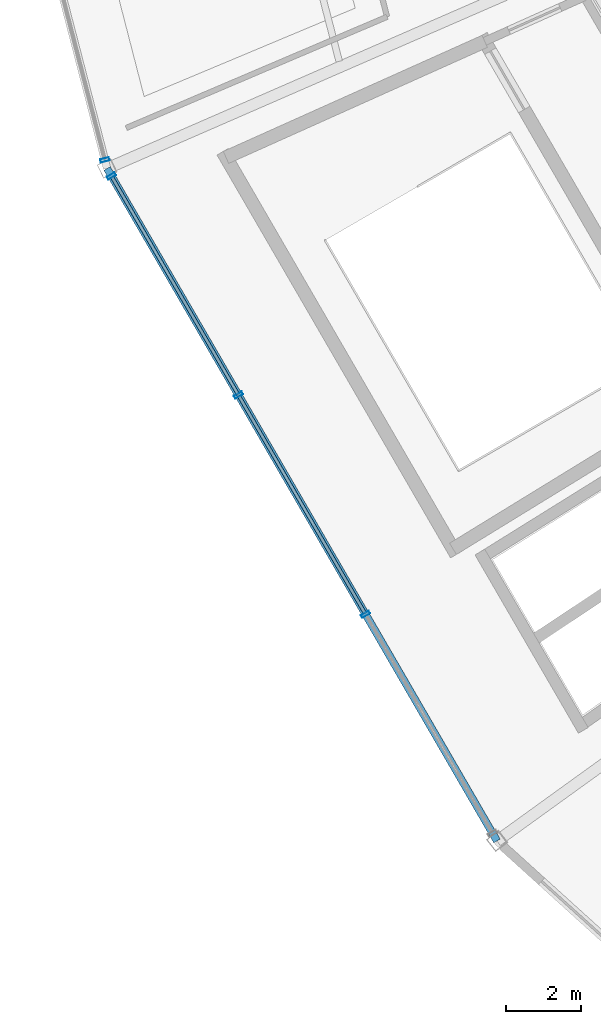
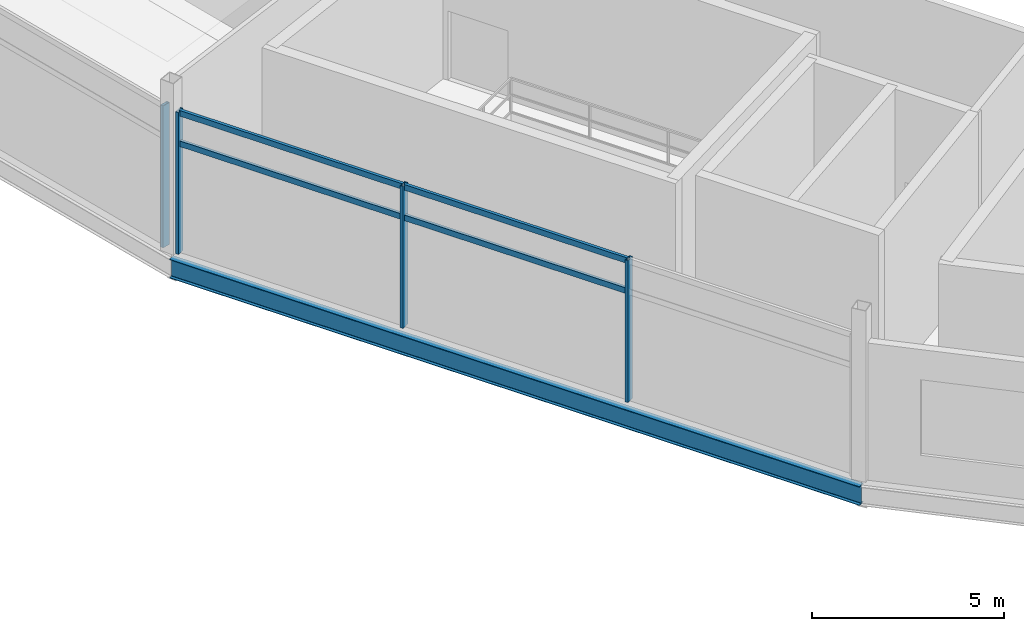
# One storey, part 23 of 86: 8 members, 1 beam, 2 elements without a shape of their own.
"""IFC4 building model written with IfcOpenShell, lengths in metres."""

from ifc_helpers import new_model, si_unit, direction, frame, origin, origin_2d, place, context, subcontext, project, spatial, hollow_rectangle, i_section, extrude, material, layer, layer_set, material_profile, profile_set, type_object, element, aggregate, save


model = new_model("IFC4")

# Units and contexts
model_context = context("Model", 3, precision=1e-05, world=origin(), true_north=direction((0.0, 1.0)))
body_context = subcontext(model_context, "Body", "Model", "MODEL_VIEW")
ifc_project = project(units=[si_unit("LENGTHUNIT", "METRE"), si_unit("AREAUNIT", "SQUARE_METRE"), si_unit("VOLUMEUNIT", "CUBIC_METRE"), si_unit("PLANEANGLEUNIT", "RADIAN"), si_unit("MASSUNIT", "GRAM", prefix="KILO")], contexts=[model_context])

# Site, building, storey
site_placement = place(None, origin())
site = spatial("IfcSite", under=ifc_project, at=site_placement, CompositionType="ELEMENT")
building_placement = place(site_placement, origin())
building = spatial("IfcBuilding", under=site, at=building_placement, Name="Kazemori Nagisa Stadium", CompositionType="ELEMENT")
storey_placement = place(building_placement, frame((0.0, 0.0, 31.280029296875)))
storey = spatial("IfcBuildingStorey", under=building, at=storey_placement, Name="L06", CompositionType="ELEMENT", Elevation=31.280029296875)

# Beam
ifc_material_1 = material(Name="Steel SN490B", Category="steel")
ifc_material_profile_1 = material_profile(ifc_material_1, i_section(OverallWidth=0.199951171875, OverallDepth=0.60009765625, WebThickness=0.010986328125, FlangeThickness=0.01708984375, FilletRadius=0.012939453125, at=origin_2d()), Name="H-600x200x11x17")
ifc_profile_set_1 = profile_set([ifc_material_profile_1], Name="Steel SN490B")
beam_type = type_object("IfcBeamType", Name="Beam_BS-H600", PredefinedType="SPANDREL", material=ifc_profile_set_1)
beam_placement = place(storey_placement, frame((34.114990234375, 63.25048828125, -0.56005859375), z_axis=(0.50161277459, -0.8650922635, 0.0), x_axis=(0.8650922635, 0.50161277459, 0.0)))
element("IfcBeam", 1, at=beam_placement, inside=storey, type_object=beam_type, Name="Ring girder BS-H600 L06 R3-17", PredefinedType="SPANDREL", context=body_context, shape_type="SweptSolid", body=[
    extrude(i_section(OverallWidth=0.199951171875, OverallDepth=0.60009765625, WebThickness=0.010986328125, FlangeThickness=0.01708984375, FilletRadius=0.012939453125, at=origin_2d()), origin(), (0.0, 0.0, 1.0), 20.71240234375),
])

# Curtain wall, member
ifc_material_2 = material(Name="Anodised aluminium 6063-T5", Category="aluminium")
ifc_layer_1 = layer(ifc_material_2, 0.239990234375, Name="Anodised aluminium 6063-T5", Category="aluminium")
ifc_layer_set_1 = layer_set([ifc_layer_1], Name="Anodised aluminium 6063-T5")
curtain_wall_type_1 = type_object("IfcCurtainWallType", Name="CW_L06R3_98", PredefinedType="USERDEFINED", material=ifc_layer_set_1)
curtain_wall_1_placement = place(storey_placement, origin())
curtain_wall_1 = element("IfcCurtainWall", 2, at=curtain_wall_1_placement, inside=storey, type_object=curtain_wall_type_1, Name="Unitised curtain wall CW-L06R3-98 L06", ObjectType="UNITISED CURTAIN WALL", PredefinedType="USERDEFINED")
ifc_material_3 = material(Name="Aluminium 6063-T5 anodised", Category="aluminium")
ifc_material_profile_2 = material_profile(ifc_material_3, hollow_rectangle(XDim=0.090087890625, YDim=0.239990234375, WallThickness=0.0048828125, at=origin_2d()), Name="ALU-MULL-90x240x5")
ifc_profile_set_2 = profile_set([ifc_material_profile_2], Name="Aluminium 6063-T5 anodised")
member_type_1 = type_object("IfcMemberType", Name="Mullion_M03", PredefinedType="MULLION", material=ifc_profile_set_2)
member_1_placement = place(storey_placement, frame((34.056396484375, 63.47802734375, 0.0), z_axis=(0.0, 0.0, 1.0), x_axis=(0.249964642418, -0.968254965152, 0.0)))
member_1 = element("IfcMember", 3, at=member_1_placement, type_object=member_type_1, Name="Curtain wall mullion CW-L06R3-98-M4", PredefinedType="MULLION", context=body_context, shape_type="SweptSolid", body=[
    extrude(hollow_rectangle(XDim=0.090087890625, YDim=0.239990234375, WallThickness=0.0048828125, at=origin_2d()), origin(), (0.0, 0.0, 1.0), 4.510009765625),
])
aggregate(curtain_wall_1, [member_1])

# Curtain wall, members
ifc_layer_2 = layer(ifc_material_2, 0.239990234375, Name="Anodised aluminium 6063-T5", Category="aluminium")
ifc_layer_set_2 = layer_set([ifc_layer_2], Name="Anodised aluminium 6063-T5")
curtain_wall_type_2 = type_object("IfcCurtainWallType", Name="CW_L06R3_102", PredefinedType="USERDEFINED", material=ifc_layer_set_2)
curtain_wall_2_placement = place(storey_placement, origin())
curtain_wall_2 = element("IfcCurtainWall", 4, at=curtain_wall_2_placement, inside=storey, type_object=curtain_wall_type_2, Name="Unitised curtain wall CW-L06R3-102 L06", ObjectType="UNITISED CURTAIN WALL", PredefinedType="USERDEFINED")
member_2_placement = place(storey_placement, frame((34.23291015625, 63.047119140625, 0.0), z_axis=(0.0, 0.0, 1.0), x_axis=(0.501611590054, -0.865092950337, 0.0)))
member_2 = element("IfcMember", 5, at=member_2_placement, type_object=member_type_1, Name="Curtain wall mullion CW-L06R3-102-M1", PredefinedType="MULLION", context=body_context, shape_type="SweptSolid", body=[
    extrude(hollow_rectangle(XDim=0.090087890625, YDim=0.239990234375, WallThickness=0.0048828125, at=origin_2d()), origin(), (0.0, 0.0, 1.0), 4.510009765625),
])
member_3_placement = place(storey_placement, frame((37.617431640625, 57.2099609375, 0.0), z_axis=(0.0, 0.0, 1.0), x_axis=(0.501611590054, -0.865092950337, 0.0)))
member_3 = element("IfcMember", 6, at=member_3_placement, type_object=member_type_1, Name="Curtain wall mullion CW-L06R3-102-M2", PredefinedType="MULLION", context=body_context, shape_type="SweptSolid", body=[
    extrude(hollow_rectangle(XDim=0.090087890625, YDim=0.239990234375, WallThickness=0.0048828125, at=origin_2d()), origin(), (0.0, 0.0, 1.0), 4.510009765625),
])
member_4_placement = place(storey_placement, frame((41.002197265625, 51.372802734375, 0.0), z_axis=(0.0, 0.0, 1.0), x_axis=(0.501611590054, -0.865092950337, 0.0)))
member_4 = element("IfcMember", 7, at=member_4_placement, type_object=member_type_1, Name="Curtain wall mullion CW-L06R3-102-M3", PredefinedType="MULLION", context=body_context, shape_type="SweptSolid", body=[
    extrude(hollow_rectangle(XDim=0.090087890625, YDim=0.239990234375, WallThickness=0.0048828125, at=origin_2d()), origin(), (0.0, 0.0, 1.0), 4.510009765625),
])
ifc_material_profile_3 = material_profile(ifc_material_3, hollow_rectangle(XDim=0.090087890625, YDim=0.179931640625, WallThickness=0.0048828125, at=origin_2d()), Name="ALU-TRAN-90x180x5")
ifc_profile_set_3 = profile_set([ifc_material_profile_3], Name="Aluminium 6063-T5 anodised")
member_type_2 = type_object("IfcMemberType", Name="Transom_T03", PredefinedType="USERDEFINED", material=ifc_profile_set_3)
member_5_placement = place(storey_placement, frame((34.242919921875, 63.02978515625, 3.47265625), z_axis=(0.501612953117, -0.865092159984, 0.0), x_axis=(0.865092159984, 0.501612953117, 0.0)))
member_5 = element("IfcMember", 8, at=member_5_placement, type_object=member_type_2, Name="Curtain wall transom CW-L06R3-102-T1-mid", ObjectType="TRANSOM", PredefinedType="USERDEFINED", context=body_context, shape_type="SweptSolid", body=[
    extrude(hollow_rectangle(XDim=0.090087890625, YDim=0.179931640625, WallThickness=0.0048828125, at=origin_2d()), origin(), (0.0, 0.0, 1.0), 6.707275390625),
])
member_6_placement = place(storey_placement, frame((34.242919921875, 63.02978515625, 4.43994140625), z_axis=(0.501612953117, -0.865092159984, 0.0), x_axis=(0.865092159984, 0.501612953117, 0.0)))
member_6 = element("IfcMember", 9, at=member_6_placement, type_object=member_type_2, Name="Curtain wall transom CW-L06R3-102-T1-head", ObjectType="TRANSOM", PredefinedType="USERDEFINED", context=body_context, shape_type="SweptSolid", body=[
    extrude(hollow_rectangle(XDim=0.090087890625, YDim=0.179931640625, WallThickness=0.0048828125, at=origin_2d()), origin(), (0.0, 0.0, 1.0), 6.707275390625),
])
member_7_placement = place(storey_placement, frame((37.627685546875, 57.192626953125, 3.47265625), z_axis=(0.501612953117, -0.865092159984, 0.0), x_axis=(0.865092159984, 0.501612953117, 0.0)))
member_7 = element("IfcMember", 10, at=member_7_placement, type_object=member_type_2, Name="Curtain wall transom CW-L06R3-102-T2-mid", ObjectType="TRANSOM", PredefinedType="USERDEFINED", context=body_context, shape_type="SweptSolid", body=[
    extrude(hollow_rectangle(XDim=0.090087890625, YDim=0.179931640625, WallThickness=0.0048828125, at=origin_2d()), origin(), (0.0, 0.0, 1.0), 6.707275390625),
])
member_8_placement = place(storey_placement, frame((37.627685546875, 57.192626953125, 4.43994140625), z_axis=(0.501612953117, -0.865092159984, 0.0), x_axis=(0.865092159984, 0.501612953117, 0.0)))
member_8 = element("IfcMember", 11, at=member_8_placement, type_object=member_type_2, Name="Curtain wall transom CW-L06R3-102-T2-head", ObjectType="TRANSOM", PredefinedType="USERDEFINED", context=body_context, shape_type="SweptSolid", body=[
    extrude(hollow_rectangle(XDim=0.090087890625, YDim=0.179931640625, WallThickness=0.0048828125, at=origin_2d()), origin(), (0.0, 0.0, 1.0), 6.707275390625),
])
aggregate(curtain_wall_2, [member_2, member_3, member_4, member_5, member_6, member_7, member_8])

save(model, "model.ifc")
